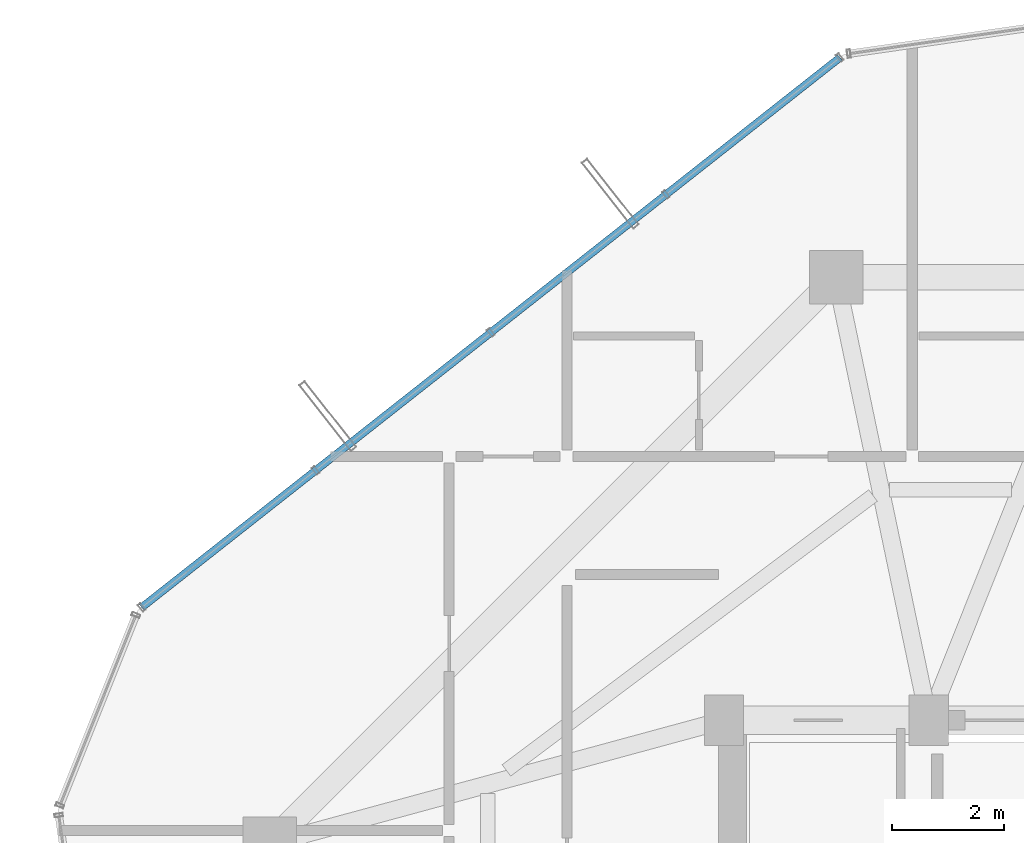
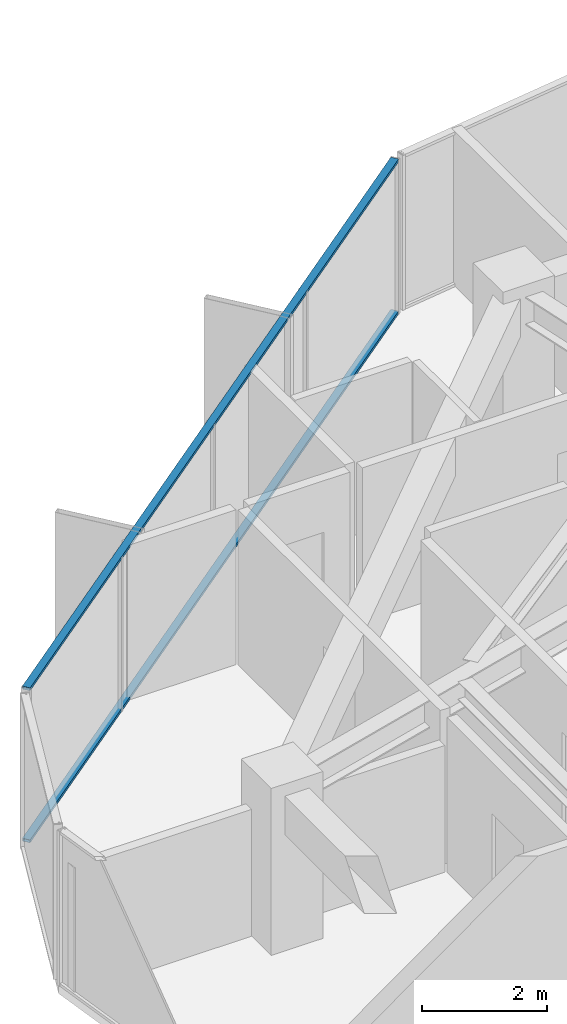
# One storey, part 21 of 31: 2 members, 1 element without a shape of its own.
"""IFC4 building model written with IfcOpenShell, lengths in metres."""

from ifc_helpers import new_model, si_unit, direction, frame, origin, origin_2d, place, context, subcontext, project, spatial, hollow_rectangle, extrude, source, transform, mapped, material, layer, layer_set, material_profile, profile_set, type_object, element, aggregate, save


model = new_model("IFC4")

# Units and contexts
model_context = context("Model", 3, precision=1e-05, world=origin(), true_north=direction((0.0, 1.0)))
body_context = subcontext(model_context, "Body", "Model", "MODEL_VIEW")
ifc_project = project(units=[si_unit("LENGTHUNIT", "METRE"), si_unit("AREAUNIT", "SQUARE_METRE"), si_unit("VOLUMEUNIT", "CUBIC_METRE"), si_unit("PLANEANGLEUNIT", "RADIAN"), si_unit("MASSUNIT", "GRAM", prefix="KILO")], contexts=[model_context])

# Site, building, storey
site_placement = place(None, origin())
site = spatial("IfcSite", under=ifc_project, at=site_placement, CompositionType="ELEMENT")
building_placement = place(site_placement, origin())
building = spatial("IfcBuilding", under=site, at=building_placement, Name="Veraguas Prism Commons", CompositionType="ELEMENT")
storey_placement = place(building_placement, frame((0.0, 0.0, 178.85009765625)))
storey = spatial("IfcBuildingStorey", under=building, at=storey_placement, Name="L50", CompositionType="ELEMENT", Elevation=178.85009765625)

# Curtain wall, members
ifc_material = material(Name="Anodised aluminium EN AW-6063 T6", Category="aluminium")
ifc_layer = layer(ifc_material, 0.14990234375, Name="Unitised Flush Curtain Wall Zone 3", Category="aluminium")
ifc_layer_set = layer_set([ifc_layer], Name="Anodised aluminium EN AW-6063 T6")
curtain_wall_type = type_object("IfcCurtainWallType", Name="Unitised Flush Curtain Wall Zone 3", PredefinedType="NOTDEFINED", material=ifc_layer_set)
curtain_wall_placement = place(storey_placement, origin())
curtain_wall = element("IfcCurtainWall", 1, at=curtain_wall_placement, inside=storey, type_object=curtain_wall_type, Name="Tower Facade Curtain Wall L50-F2", PredefinedType="NOTDEFINED")
ifc_material_profile = material_profile(ifc_material, hollow_rectangle(XDim=0.054931640625, YDim=0.135009765625, WallThickness=0.0029296875, at=origin_2d()), Name="AL55X135X3")
ifc_profile_set = profile_set([ifc_material_profile], Name="Anodised aluminium EN AW-6063 T6")
member_type = type_object("IfcMemberType", Name="Curtain Wall Transom Standard AL 55x135x3", PredefinedType="USERDEFINED", material=ifc_profile_set)
shared_shape = source(origin(), body_context, "Body", "SweptSolid", [
    extrude(hollow_rectangle(XDim=0.054931640625, YDim=0.135009765625, WallThickness=0.0029296875, at=origin_2d()), origin(), (0.0, 0.0, 1.0), 15.842529296875),
])
member_1_placement = place(storey_placement, frame((19.26611328125, 42.814697265625, 0.02734375), z_axis=(-0.785640340789, -0.618683485253, 0.0), x_axis=(0.0, 0.0, 1.0)))
member_1 = element("IfcMember", 2, at=member_1_placement, type_object=member_type, Name="CW-Z3 Transom 1", ObjectType="TRANSOM", PredefinedType="USERDEFINED", context=body_context, shape_type="MappedRepresentation", body=[
    mapped(shared_shape, transform((0.0, 0.0, 0.0), scale=1.0)),
])
member_2_placement = place(storey_placement, frame((19.26611328125, 42.814697265625, 2.9873046875), z_axis=(-0.785640340789, -0.618683485253, 0.0), x_axis=(0.0, 0.0, 1.0)))
member_2 = element("IfcMember", 3, at=member_2_placement, type_object=member_type, Name="CW-Z3 Transom 2", ObjectType="TRANSOM", PredefinedType="USERDEFINED", context=body_context, shape_type="MappedRepresentation", body=[
    mapped(shared_shape, transform((0.0, 0.0, 0.0), scale=1.0)),
])
aggregate(curtain_wall, [member_1, member_2])

save(model, "model.ifc")
